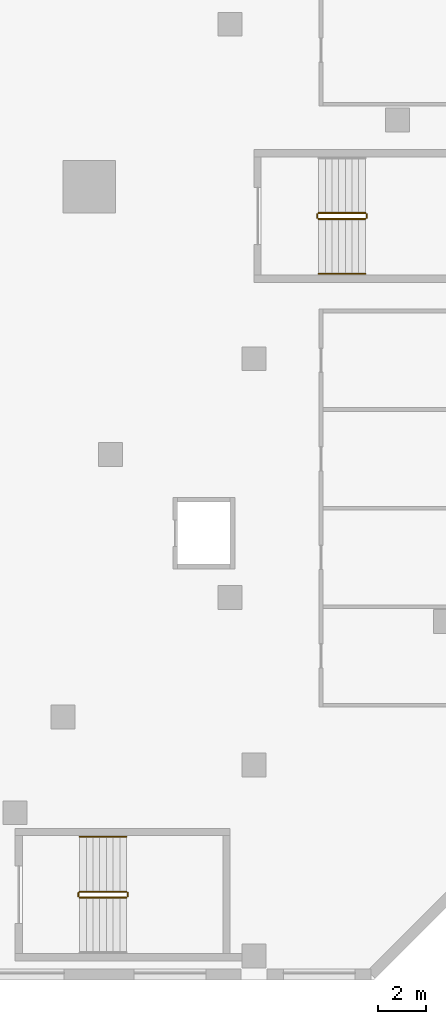
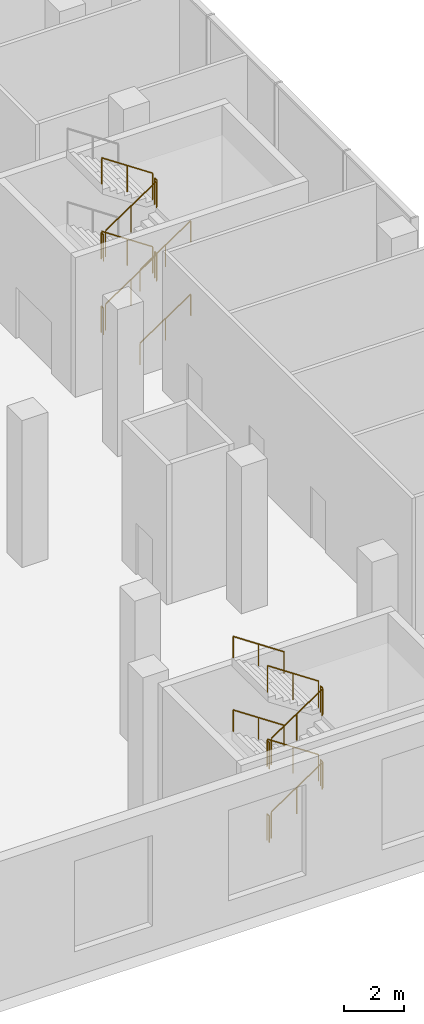
# One storey, part 26 of 30: 20 railings.
"""IFC4 building model written with IfcOpenShell, lengths in metres."""

from ifc_helpers import new_model, si_unit, direction, frame, origin, origin_2d, place, context, subcontext, project, spatial, circle, extrude, material, type_object, element, save


model = new_model("IFC4")

# Units and contexts
model_context = context("Model", 3, precision=1e-05, world=origin(), true_north=direction((0.0, 1.0)))
body_context = subcontext(model_context, "Body", "Model", "MODEL_VIEW")
ifc_project = project(units=[si_unit("LENGTHUNIT", "METRE"), si_unit("AREAUNIT", "SQUARE_METRE"), si_unit("VOLUMEUNIT", "CUBIC_METRE"), si_unit("PLANEANGLEUNIT", "RADIAN"), si_unit("MASSUNIT", "GRAM", prefix="KILO")], contexts=[model_context])

# Site, building, storey
site_placement = place(None, origin())
site = spatial("IfcSite", under=ifc_project, at=site_placement, CompositionType="ELEMENT")
building_placement = place(site_placement, origin())
building = spatial("IfcBuilding", under=site, at=building_placement, Name="Wharfspan Tower", CompositionType="ELEMENT")
storey_placement = place(building_placement, frame((0.0, 0.0, 21.5)))
storey = spatial("IfcBuildingStorey", under=building, at=storey_placement, Name="L03", CompositionType="ELEMENT", Elevation=21.5)

# Railings
ifc_material = material(Name="Steel S355J2", Category="steel")
railing_type_1 = type_object("IfcRailingType", Name="Podium guard 1100", PredefinedType="GUARDRAIL", material=ifc_material)
railing_1_placement = place(storey_placement, frame((89.699951, -28.550049, 0.1875)))
element("IfcRailing", 1, at=railing_1_placement, inside=storey, type_object=railing_type_1, Name="L03 AS2 stair guard 1", PredefinedType="GUARDRAIL", context=body_context, shape_type="SweptSolid", body=[
    extrude(circle(Radius=0.023926, at=origin_2d()), frame((0.0, 0.0, 1.076172), z_axis=(0.830902, 0.0, 0.556419), x_axis=(0.0, 1.0, 0.0)), (0.0, 0.0, 1.0), 2.358887),
    extrude(circle(Radius=0.020996, at=origin_2d()), origin(), (0.0, 0.0, 1.0), 1.052002),
    extrude(circle(Radius=0.020996, at=origin_2d()), frame((0.97998, 0.0, 0.65625)), (0.0, 0.0, 1.0), 1.052002),
    extrude(circle(Radius=0.020996, at=origin_2d()), frame((1.959961, 0.0, 1.3125)), (0.0, 0.0, 1.0), 1.052002),
])
railing_2_placement = place(storey_placement, frame((91.709961, -28.5, 1.5)))
element("IfcRailing", 2, at=railing_2_placement, inside=storey, type_object=railing_type_1, Name="L03 AS2 stair guard 2", PredefinedType="GUARDRAIL", context=body_context, shape_type="SweptSolid", body=[
    extrude(circle(Radius=0.023926, at=origin_2d()), frame((0.0, 0.0, 1.076172), z_axis=(0.0, 1.0, 0.0), x_axis=(-1.0, 0.0, 0.0)), (0.0, 0.0, 1.0), 0.149902),
    extrude(circle(Radius=0.020996, at=origin_2d()), origin(), (0.0, 0.0, 1.0), 1.052002),
    extrude(circle(Radius=0.020996, at=origin_2d()), frame((0.0, 0.149902, 0.0)), (0.0, 0.0, 1.0), 1.052002),
])
railing_3_placement = place(storey_placement, frame((91.659912, -28.300049, 1.6875)))
element("IfcRailing", 3, at=railing_3_placement, inside=storey, type_object=railing_type_1, Name="L03 AS2 stair guard 3", PredefinedType="GUARDRAIL", context=body_context, shape_type="SweptSolid", body=[
    extrude(circle(Radius=0.023926, at=origin_2d()), frame((0.0, 0.0, 1.076172), z_axis=(-0.830902, 0.0, 0.556419), x_axis=(0.0, -1.0, 0.0)), (0.0, 0.0, 1.0), 2.358887),
    extrude(circle(Radius=0.020996, at=origin_2d()), origin(), (0.0, 0.0, 1.0), 1.052002),
    extrude(circle(Radius=0.020996, at=origin_2d()), frame((-0.97998, 0.0, 0.65625)), (0.0, 0.0, 1.0), 1.052002),
    extrude(circle(Radius=0.020996, at=origin_2d()), frame((-1.959961, 0.0, 1.3125)), (0.0, 0.0, 1.0), 1.052002),
])
railing_4_placement = place(storey_placement, frame((89.649902, -28.5, 3.0)))
element("IfcRailing", 4, at=railing_4_placement, inside=storey, type_object=railing_type_1, Name="L03 AS2 stair guard 4", PredefinedType="GUARDRAIL", context=body_context, shape_type="SweptSolid", body=[
    extrude(circle(Radius=0.023926, at=origin_2d()), frame((0.0, 0.0, 1.076172), z_axis=(0.0, 1.0, 0.0), x_axis=(-1.0, 0.0, 0.0)), (0.0, 0.0, 1.0), 0.149902),
    extrude(circle(Radius=0.020996, at=origin_2d()), origin(), (0.0, 0.0, 1.0), 1.052002),
    extrude(circle(Radius=0.020996, at=origin_2d()), frame((0.0, 0.149902, 0.0)), (0.0, 0.0, 1.0), 1.052002),
])
railing_5_placement = place(storey_placement, frame((89.699951, -28.550049, 3.1875)))
element("IfcRailing", 5, at=railing_5_placement, inside=storey, type_object=railing_type_1, Name="L03 AS2 stair guard 5", PredefinedType="GUARDRAIL", context=body_context, shape_type="SweptSolid", body=[
    extrude(circle(Radius=0.023926, at=origin_2d()), frame((0.0, 0.0, 1.076172), z_axis=(0.830902, 0.0, 0.556419), x_axis=(0.0, 1.0, 0.0)), (0.0, 0.0, 1.0), 2.358887),
    extrude(circle(Radius=0.020996, at=origin_2d()), origin(), (0.0, 0.0, 1.0), 1.052002),
    extrude(circle(Radius=0.020996, at=origin_2d()), frame((0.97998, 0.0, 0.65625)), (0.0, 0.0, 1.0), 1.052002),
    extrude(circle(Radius=0.020996, at=origin_2d()), frame((1.959961, 0.0, 1.3125)), (0.0, 0.0, 1.0), 1.052002),
])
railing_6_placement = place(storey_placement, frame((91.709961, -28.5, 4.5)))
element("IfcRailing", 6, at=railing_6_placement, inside=storey, type_object=railing_type_1, Name="L03 AS2 stair guard 6", PredefinedType="GUARDRAIL", context=body_context, shape_type="SweptSolid", body=[
    extrude(circle(Radius=0.023926, at=origin_2d()), frame((0.0, 0.0, 1.076172), z_axis=(0.0, 1.0, 0.0), x_axis=(-1.0, 0.0, 0.0)), (0.0, 0.0, 1.0), 0.149902),
    extrude(circle(Radius=0.020996, at=origin_2d()), origin(), (0.0, 0.0, 1.0), 1.052002),
    extrude(circle(Radius=0.020996, at=origin_2d()), frame((0.0, 0.149902, 0.0)), (0.0, 0.0, 1.0), 1.052002),
])
railing_7_placement = place(storey_placement, frame((91.659912, -28.300049, 4.6875)))
element("IfcRailing", 7, at=railing_7_placement, inside=storey, type_object=railing_type_1, Name="L03 AS2 stair guard 7", PredefinedType="GUARDRAIL", context=body_context, shape_type="SweptSolid", body=[
    extrude(circle(Radius=0.023926, at=origin_2d()), frame((0.0, 0.0, 1.076172), z_axis=(-0.830902, 0.0, 0.556419), x_axis=(0.0, -1.0, 0.0)), (0.0, 0.0, 1.0), 2.358887),
    extrude(circle(Radius=0.020996, at=origin_2d()), origin(), (0.0, 0.0, 1.0), 1.052002),
    extrude(circle(Radius=0.020996, at=origin_2d()), frame((-0.97998, 0.0, 0.65625)), (0.0, 0.0, 1.0), 1.052002),
    extrude(circle(Radius=0.020996, at=origin_2d()), frame((-1.959961, 0.0, 1.3125)), (0.0, 0.0, 1.0), 1.052002),
])
railing_8_placement = place(storey_placement, frame((89.649902, -28.5, 0.0)))
element("IfcRailing", 8, at=railing_8_placement, inside=storey, type_object=railing_type_1, Name="L03 AS2 stair guard 8", PredefinedType="GUARDRAIL", context=body_context, shape_type="SweptSolid", body=[
    extrude(circle(Radius=0.023926, at=origin_2d()), frame((0.0, 0.0, 1.076172), z_axis=(0.0, 1.0, 0.0), x_axis=(-1.0, 0.0, 0.0)), (0.0, 0.0, 1.0), 0.149902),
    extrude(circle(Radius=0.020996, at=origin_2d()), origin(), (0.0, 0.0, 1.0), 1.052002),
    extrude(circle(Radius=0.020996, at=origin_2d()), frame((0.0, 0.149902, 0.0)), (0.0, 0.0, 1.0), 1.052002),
])
railing_9_placement = place(storey_placement, frame((99.699951, -0.149902, 0.1875)))
element("IfcRailing", 9, at=railing_9_placement, inside=storey, type_object=railing_type_1, Name="L03 AS8 stair guard 1", PredefinedType="GUARDRAIL", context=body_context, shape_type="SweptSolid", body=[
    extrude(circle(Radius=0.023926, at=origin_2d()), frame((0.0, 0.0, 1.076172), z_axis=(0.830902, 0.0, 0.556419), x_axis=(0.0, 1.0, 0.0)), (0.0, 0.0, 1.0), 2.358887),
    extrude(circle(Radius=0.020996, at=origin_2d()), origin(), (0.0, 0.0, 1.0), 1.052002),
    extrude(circle(Radius=0.020996, at=origin_2d()), frame((0.97998, 0.0, 0.65625)), (0.0, 0.0, 1.0), 1.052002),
    extrude(circle(Radius=0.020996, at=origin_2d()), frame((1.959961, 0.0, 1.3125)), (0.0, 0.0, 1.0), 1.052002),
])
railing_10_placement = place(storey_placement, frame((101.709961, -0.100098, 1.5)))
element("IfcRailing", 10, at=railing_10_placement, inside=storey, type_object=railing_type_1, Name="L03 AS8 stair guard 2", PredefinedType="GUARDRAIL", context=body_context, shape_type="SweptSolid", body=[
    extrude(circle(Radius=0.023926, at=origin_2d()), frame((0.0, 0.0, 1.076172), z_axis=(0.0, 1.0, 0.0), x_axis=(-1.0, 0.0, 0.0)), (0.0, 0.0, 1.0), 0.150146),
    extrude(circle(Radius=0.020996, at=origin_2d()), origin(), (0.0, 0.0, 1.0), 1.052002),
    extrude(circle(Radius=0.020996, at=origin_2d()), frame((0.0, 0.150146, 0.0)), (0.0, 0.0, 1.0), 1.052002),
])
railing_11_placement = place(storey_placement, frame((101.659912, 0.100098, 1.6875)))
element("IfcRailing", 11, at=railing_11_placement, inside=storey, type_object=railing_type_1, Name="L03 AS8 stair guard 3", PredefinedType="GUARDRAIL", context=body_context, shape_type="SweptSolid", body=[
    extrude(circle(Radius=0.023926, at=origin_2d()), frame((0.0, 0.0, 1.076172), z_axis=(-0.830902, 0.0, 0.556419), x_axis=(0.0, -1.0, 0.0)), (0.0, 0.0, 1.0), 2.358887),
    extrude(circle(Radius=0.020996, at=origin_2d()), origin(), (0.0, 0.0, 1.0), 1.052002),
    extrude(circle(Radius=0.020996, at=origin_2d()), frame((-0.97998, 0.0, 0.65625)), (0.0, 0.0, 1.0), 1.052002),
    extrude(circle(Radius=0.020996, at=origin_2d()), frame((-1.959961, 0.0, 1.3125)), (0.0, 0.0, 1.0), 1.052002),
])
railing_12_placement = place(storey_placement, frame((99.649902, -0.100098, 3.0)))
element("IfcRailing", 12, at=railing_12_placement, inside=storey, type_object=railing_type_1, Name="L03 AS8 stair guard 4", PredefinedType="GUARDRAIL", context=body_context, shape_type="SweptSolid", body=[
    extrude(circle(Radius=0.023926, at=origin_2d()), frame((0.0, 0.0, 1.076172), z_axis=(0.0, 1.0, 0.0), x_axis=(-1.0, 0.0, 0.0)), (0.0, 0.0, 1.0), 0.150146),
    extrude(circle(Radius=0.020996, at=origin_2d()), origin(), (0.0, 0.0, 1.0), 1.052002),
    extrude(circle(Radius=0.020996, at=origin_2d()), frame((0.0, 0.150146, 0.0)), (0.0, 0.0, 1.0), 1.052002),
])
railing_13_placement = place(storey_placement, frame((99.699951, -0.149902, 3.1875)))
element("IfcRailing", 13, at=railing_13_placement, inside=storey, type_object=railing_type_1, Name="L03 AS8 stair guard 5", PredefinedType="GUARDRAIL", context=body_context, shape_type="SweptSolid", body=[
    extrude(circle(Radius=0.023926, at=origin_2d()), frame((0.0, 0.0, 1.076172), z_axis=(0.830902, 0.0, 0.556419), x_axis=(0.0, 1.0, 0.0)), (0.0, 0.0, 1.0), 2.358887),
    extrude(circle(Radius=0.020996, at=origin_2d()), origin(), (0.0, 0.0, 1.0), 1.052002),
    extrude(circle(Radius=0.020996, at=origin_2d()), frame((0.97998, 0.0, 0.65625)), (0.0, 0.0, 1.0), 1.052002),
    extrude(circle(Radius=0.020996, at=origin_2d()), frame((1.959961, 0.0, 1.3125)), (0.0, 0.0, 1.0), 1.052002),
])
railing_14_placement = place(storey_placement, frame((101.709961, -0.100098, 4.5)))
element("IfcRailing", 14, at=railing_14_placement, inside=storey, type_object=railing_type_1, Name="L03 AS8 stair guard 6", PredefinedType="GUARDRAIL", context=body_context, shape_type="SweptSolid", body=[
    extrude(circle(Radius=0.023926, at=origin_2d()), frame((0.0, 0.0, 1.076172), z_axis=(0.0, 1.0, 0.0), x_axis=(-1.0, 0.0, 0.0)), (0.0, 0.0, 1.0), 0.150146),
    extrude(circle(Radius=0.020996, at=origin_2d()), origin(), (0.0, 0.0, 1.0), 1.052002),
    extrude(circle(Radius=0.020996, at=origin_2d()), frame((0.0, 0.150146, 0.0)), (0.0, 0.0, 1.0), 1.052002),
])
railing_15_placement = place(storey_placement, frame((101.659912, 0.100098, 4.6875)))
element("IfcRailing", 15, at=railing_15_placement, inside=storey, type_object=railing_type_1, Name="L03 AS8 stair guard 7", PredefinedType="GUARDRAIL", context=body_context, shape_type="SweptSolid", body=[
    extrude(circle(Radius=0.023926, at=origin_2d()), frame((0.0, 0.0, 1.076172), z_axis=(-0.830902, 0.0, 0.556419), x_axis=(0.0, -1.0, 0.0)), (0.0, 0.0, 1.0), 2.358887),
    extrude(circle(Radius=0.020996, at=origin_2d()), origin(), (0.0, 0.0, 1.0), 1.052002),
    extrude(circle(Radius=0.020996, at=origin_2d()), frame((-0.97998, 0.0, 0.65625)), (0.0, 0.0, 1.0), 1.052002),
    extrude(circle(Radius=0.020996, at=origin_2d()), frame((-1.959961, 0.0, 1.3125)), (0.0, 0.0, 1.0), 1.052002),
])
railing_16_placement = place(storey_placement, frame((99.649902, -0.100098, 0.0)))
element("IfcRailing", 16, at=railing_16_placement, inside=storey, type_object=railing_type_1, Name="L03 AS8 stair guard 8", PredefinedType="GUARDRAIL", context=body_context, shape_type="SweptSolid", body=[
    extrude(circle(Radius=0.023926, at=origin_2d()), frame((0.0, 0.0, 1.076172), z_axis=(0.0, 1.0, 0.0), x_axis=(-1.0, 0.0, 0.0)), (0.0, 0.0, 1.0), 0.150146),
    extrude(circle(Radius=0.020996, at=origin_2d()), origin(), (0.0, 0.0, 1.0), 1.052002),
    extrude(circle(Radius=0.020996, at=origin_2d()), frame((0.0, 0.150146, 0.0)), (0.0, 0.0, 1.0), 1.052002),
])
railing_type_2 = type_object("IfcRailingType", Name="Podium stair handrail 900", PredefinedType="HANDRAIL", material=ifc_material)
for number, where, name in (
    (17, (91.659912, -26.0, 1.6875), "L03 AS2 stair handrail 2"),
    (18, (91.659912, -26.0, 4.6875), "L03 AS2 stair handrail 4"),
):
    element("IfcRailing", number, at=place(storey_placement, frame(where)), inside=storey, type_object=railing_type_2, Name=name, PredefinedType="HANDRAIL", context=body_context, shape_type="SweptSolid", body=[
        extrude(circle(Radius=0.023926, at=origin_2d()), frame((0.0, 0.0, 0.875977), z_axis=(-0.830902, 0.0, 0.556419), x_axis=(0.0, -1.0, 0.0)), (0.0, 0.0, 1.0), 2.358887),
        extrude(circle(Radius=0.020996, at=origin_2d()), origin(), (0.0, 0.0, 1.0), 0.851807),
        extrude(circle(Radius=0.020996, at=origin_2d()), frame((-0.97998, 0.0, 0.65625)), (0.0, 0.0, 1.0), 0.851807),
        extrude(circle(Radius=0.020996, at=origin_2d()), frame((-1.959961, 0.0, 1.3125)), (0.0, 0.0, 1.0), 0.851807),
    ])
for number, where, name in (
    (19, (99.699951, -2.449951, 0.1875), "L03 AS8 stair handrail 1"),
    (20, (99.699951, -2.449951, 3.1875), "L03 AS8 stair handrail 3"),
):
    element("IfcRailing", number, at=place(storey_placement, frame(where)), inside=storey, type_object=railing_type_2, Name=name, PredefinedType="HANDRAIL", context=body_context, shape_type="SweptSolid", body=[
        extrude(circle(Radius=0.023926, at=origin_2d()), frame((0.0, 0.0, 0.875977), z_axis=(0.830902, 0.0, 0.556419), x_axis=(0.0, 1.0, 0.0)), (0.0, 0.0, 1.0), 2.358887),
        extrude(circle(Radius=0.020996, at=origin_2d()), origin(), (0.0, 0.0, 1.0), 0.851807),
        extrude(circle(Radius=0.020996, at=origin_2d()), frame((0.97998, 0.0, 0.65625)), (0.0, 0.0, 1.0), 0.851807),
        extrude(circle(Radius=0.020996, at=origin_2d()), frame((1.959961, 0.0, 1.3125)), (0.0, 0.0, 1.0), 0.851807),
    ])

save(model, "model.ifc")
